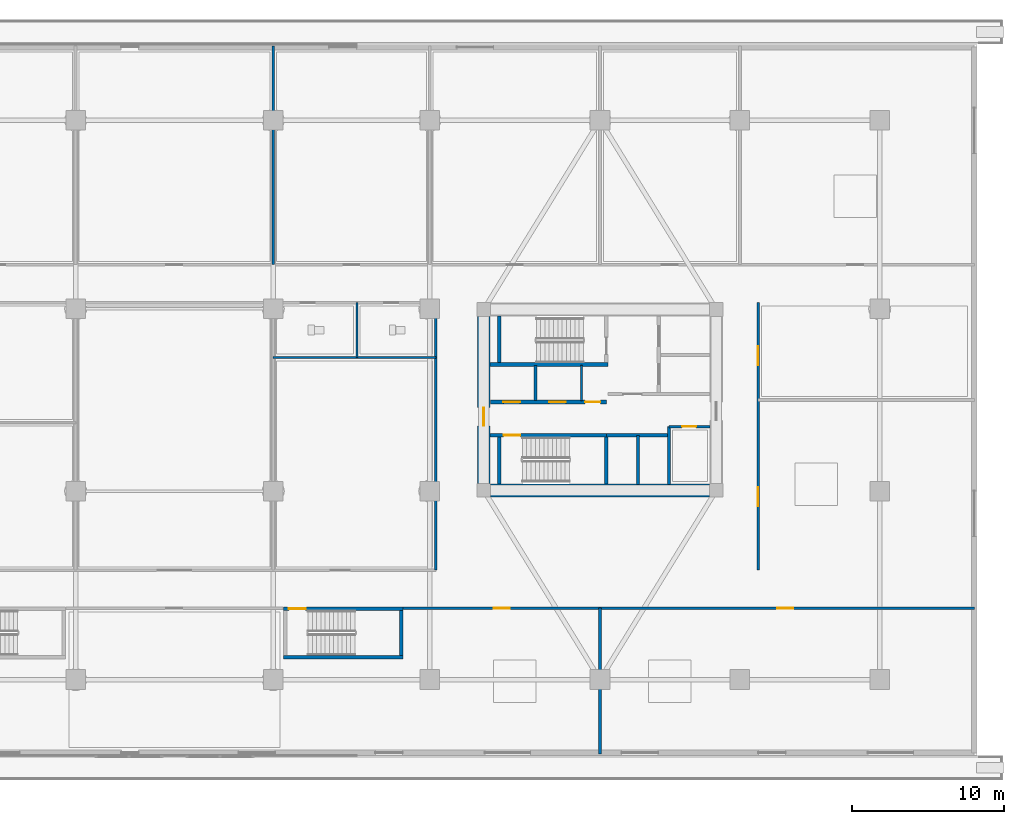
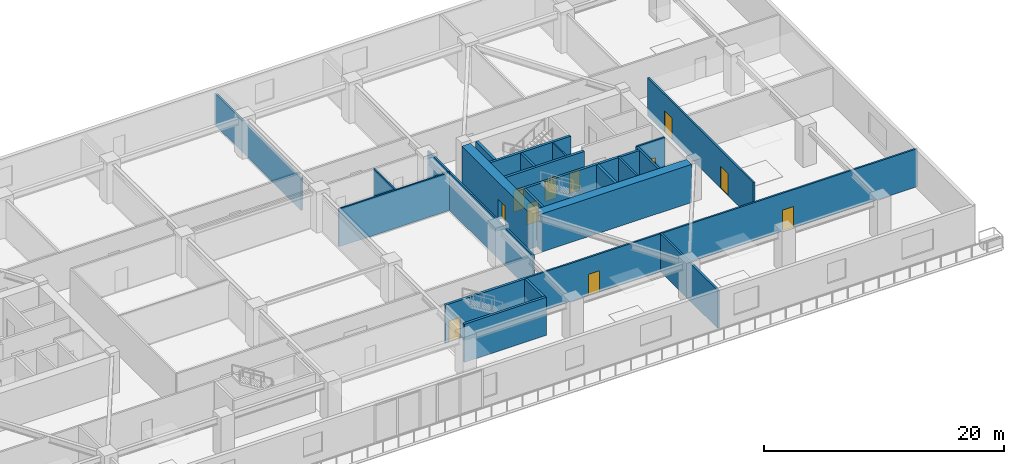
# One storey, part 10 of 22: 24 walls, 11 doors, 11 openings.
"""IFC4 building model written with IfcOpenShell, lengths in metres."""

import ifcopenshell
import ifcopenshell.guid

model = None  # the IFC model being written
_history = None  # IfcOwnerHistory: only IFC2X3 demands one
_inside = {}  # id of a spatial element -> (the spatial element, [elements in it])
_under = {}  # id of a project, library or spatial element -> (it, [spatial elements below it])
_declared = {}  # id of a project -> (the project, [libraries it declares])
_typed = {}  # id of a type object -> (the type object, [elements of that type])
_made_of = {}  # id of a material, layer set ... -> (it, [elements and type objects made of it])


def new_model(schema):
    """Start an empty IFC model of exactly this schema.

    Asked for "IFC4X3", IfcOpenShell would pick the latest addendum, in which some entities
    have other attributes; the version numbers below select the first issue.
    IFC2X3 requires an IfcOwnerHistory on every rooted entity: one is made here for all.
    """
    global model, _history
    if schema == "IFC4X3":
        model = ifcopenshell.file(schema_version=(4, 3, 0, 0))
    else:
        model = ifcopenshell.file(schema=schema)
    _inside.clear()
    _under.clear()
    _declared.clear()
    _typed.clear()
    _made_of.clear()
    _history = None
    if model.schema == "IFC2X3":
        org = make("IfcOrganization", Name="unknown")
        user = make(
            "IfcPersonAndOrganization",
            ThePerson=make("IfcPerson", FamilyName="unknown"),
            TheOrganization=org,
        )
        app = make(
            "IfcApplication",
            ApplicationDeveloper=org,
            Version="unknown",
            ApplicationFullName="unknown",
            ApplicationIdentifier="unknown",
        )
        _history = make(
            "IfcOwnerHistory",
            OwningUser=user,
            OwningApplication=app,
            ChangeAction="ADDED",
            CreationDate=0,
        )
    return model


def make(cls, **values):
    """One entity of the class cls with the attributes given. An attribute that is None is left unset."""
    return model.create_entity(
        cls, **{name: value for name, value in values.items() if value is not None}
    )


def rooted(cls, **values):
    """An entity with a GlobalId (a new one), such as an element, a storey or a relation."""
    return make(cls, GlobalId=ifcopenshell.guid.new(), OwnerHistory=_history, **values)


def si_unit(unit_type, name, prefix=None):
    """IfcSIUnit, for example si_unit("LENGTHUNIT", "METRE", prefix="MILLI")."""
    return make("IfcSIUnit", UnitType=unit_type, Prefix=prefix, Name=name)


def assignment(units):
    """IfcUnitAssignment: the units of a project."""
    return None if units is None else make("IfcUnitAssignment", Units=units)


def point(xyz):
    """IfcCartesianPoint."""
    return None if xyz is None else make("IfcCartesianPoint", Coordinates=xyz)


def direction(xyz):
    """IfcDirection."""
    return None if xyz is None else make("IfcDirection", DirectionRatios=xyz)


def frame(location, z_axis=None, x_axis=None):
    """IfcAxis2Placement3D, a coordinate frame: its origin and axes. An axis left out is left unset."""
    return make(
        "IfcAxis2Placement3D",
        Location=point(location),
        Axis=direction(z_axis),
        RefDirection=direction(x_axis),
    )


def frame_2d(location, x_axis=None):
    """IfcAxis2Placement2D, a coordinate frame in the plane: its origin and x axis."""
    return make(
        "IfcAxis2Placement2D", Location=point(location), RefDirection=direction(x_axis)
    )


def origin():
    """The frame at (0, 0, 0) with its axes left unset."""
    return frame((0.0, 0.0, 0.0))


def place(relative_to, where):
    """IfcLocalPlacement: puts the frame where relative to a parent placement (None: the world)."""
    return make(
        "IfcLocalPlacement", PlacementRelTo=relative_to, RelativePlacement=where
    )


def context(
    kind, dimensions, precision=None, world=None, true_north=None, identifier=None
):
    """IfcGeometricRepresentationContext, for example the 3D "Model" context."""
    return make(
        "IfcGeometricRepresentationContext",
        ContextIdentifier=identifier,
        ContextType=kind,
        CoordinateSpaceDimension=dimensions,
        Precision=precision,
        WorldCoordinateSystem=world,
        TrueNorth=true_north,
    )


def subcontext(parent, identifier, kind, view, scale=None):
    """IfcGeometricRepresentationSubContext, for example "Body" below "Model"."""
    return make(
        "IfcGeometricRepresentationSubContext",
        ContextIdentifier=identifier,
        ContextType=kind,
        ParentContext=parent,
        TargetScale=scale,
        TargetView=view,
    )


def project(units=None, contexts=None):
    """IfcProject with its units and contexts."""
    return rooted(
        "IfcProject",
        Name="project",
        RepresentationContexts=contexts,
        UnitsInContext=assignment(units),
    )


def spatial(cls, under=None, at=None, **own):
    """A site, building, storey or space (cls), placed at a placement, below another one or the project."""
    s = rooted(cls, ObjectPlacement=at, **own)
    if under is not None:
        _under.setdefault(under.id(), (under, []))[1].append(s)
    return s


def profile(cls, at=None, kind="AREA", **sizes):
    """A parametric profile (cls). Its sizes go by their IFC names, for example OverallWidth=200.0."""
    return make(cls, ProfileType=kind, Position=at, **sizes)


def rectangle(**sizes):
    """IfcRectangleProfileDef."""
    return profile("IfcRectangleProfileDef", **sizes)


def extrude(swept, where, along, depth):
    """IfcExtrudedAreaSolid: the profile swept, set in the frame where, extruded along a direction by depth."""
    return make(
        "IfcExtrudedAreaSolid",
        SweptArea=swept,
        Position=where,
        ExtrudedDirection=direction(along),
        Depth=depth,
    )


def shape(context_of_items, identifier, shape_type, items):
    """IfcShapeRepresentation: the items that make up one representation, for example the "Body"."""
    return make(
        "IfcShapeRepresentation",
        ContextOfItems=context_of_items,
        RepresentationIdentifier=identifier,
        RepresentationType=shape_type,
        Items=items,
    )


def source(mapping_origin, context_of_items, identifier, shape_type, items):
    """IfcRepresentationMap: a shape defined once, which mapped items show again and again."""
    return make(
        "IfcRepresentationMap",
        MappingOrigin=mapping_origin,
        MappedRepresentation=shape(context_of_items, identifier, shape_type, items),
    )


def transform(
    local_origin,
    x_axis=None,
    y_axis=None,
    z_axis=None,
    scale=None,
    scale2=None,
    scale3=None,
    uniform=True,
):
    """IfcCartesianTransformationOperator3D, or its non-uniform kind. x_axis, y_axis, z_axis: its Axis1, 2, 3."""
    if uniform:
        return make(
            "IfcCartesianTransformationOperator3D",
            Axis1=direction(x_axis),
            Axis2=direction(y_axis),
            LocalOrigin=point(local_origin),
            Scale=scale,
            Axis3=direction(z_axis),
        )
    return make(
        "IfcCartesianTransformationOperator3DnonUniform",
        Axis1=direction(x_axis),
        Axis2=direction(y_axis),
        LocalOrigin=point(local_origin),
        Scale=scale,
        Axis3=direction(z_axis),
        Scale2=scale2,
        Scale3=scale3,
    )


def mapped(mapping_source, mapping_target):
    """IfcMappedItem: shows the shape of a source again, moved by a transform."""
    return make(
        "IfcMappedItem", MappingSource=mapping_source, MappingTarget=mapping_target
    )


def material(Name=None, Category=None):
    """IfcMaterial."""
    return make("IfcMaterial", Name=Name, Category=Category)


def layer(
    of_material, thickness, ventilated=None, Name=None, Category=None, Priority=None
):
    """IfcMaterialLayer: one layer of a wall or slab, of a material (None: an air gap)."""
    return make(
        "IfcMaterialLayer",
        Material=of_material,
        LayerThickness=thickness,
        IsVentilated=ventilated,
        Name=Name,
        Category=Category,
        Priority=Priority,
    )


def layer_set(layers, Name=None):
    """IfcMaterialLayerSet."""
    return make("IfcMaterialLayerSet", MaterialLayers=layers, LayerSetName=Name)


def made_of(thing, what):
    """Note that an element or type object is made of a material, layer set ...; save() writes the relation."""
    if what is not None:
        _made_of.setdefault(what.id(), (what, []))[1].append(thing)
    return thing


def type_object(cls, material=None, **own):
    """A type object (cls), such as IfcWallType, which elements share."""
    return made_of(rooted(cls, **own), material)


def type_shapes(of_type, sources):
    """Give a type object the sources (RepresentationMaps) that its elements show as mapped items."""
    of_type.RepresentationMaps = sources


def element(
    cls,
    number,
    at=None,
    inside=None,
    cuts=None,
    type_object=None,
    material=None,
    context=None,
    identifier="Body",
    shape_type=None,
    held_by="IfcProductDefinitionShape",
    body=None,
    shapes=None,
    **own,
):
    """One element of the class cls, such as IfcWall. Its Tag is "e" and its number.

    at: its placement. inside: the storey or other place that contains it. cuts: it is an
    opening in that element (IfcRelVoidsElement). A single representation is given by context,
    identifier, shape_type and body (its items); several are given by shapes. held_by: the class
    of the entity that holds the representations. save() writes the other relations.
    """
    e = rooted(cls, Tag="e%d" % number, ObjectPlacement=at, **own)
    if body is not None:
        shapes = [shape(context, identifier, shape_type, body)]
    if shapes is not None:
        e.Representation = make(held_by, Representations=shapes)
    if inside is not None:
        _inside.setdefault(inside.id(), (inside, []))[1].append(e)
    if cuts is not None:
        rooted(
            "IfcRelVoidsElement", RelatingBuildingElement=cuts, RelatedOpeningElement=e
        )
    if type_object is not None:
        _typed.setdefault(type_object.id(), (type_object, []))[1].append(e)
    return made_of(e, material)


def fill(opening, filler):
    """IfcRelFillsElement: the door or window that sits in an opening."""
    return rooted(
        "IfcRelFillsElement",
        RelatingOpeningElement=opening,
        RelatedBuildingElement=filler,
    )


def aggregate(whole, parts):
    """IfcRelAggregates: a whole, such as a stair, and the parts it consists of."""
    return rooted("IfcRelAggregates", RelatingObject=whole, RelatedObjects=parts)


def save(model, path):
    """Write the relations noted so far, then the file.

    IfcRelAggregates (storeys below a building ...), IfcRelContainedInSpatialStructure (elements
    in a storey), IfcRelDefinesByType, IfcRelAssociatesMaterial and IfcRelDeclares: one each for
    every whole, place, type object, material and project.
    """
    for whole, parts in _under.values():
        aggregate(whole, parts)
    for where, things in _inside.values():
        rooted(
            "IfcRelContainedInSpatialStructure",
            RelatedElements=things,
            RelatingStructure=where,
        )
    for kind, things in _typed.values():
        rooted("IfcRelDefinesByType", RelatedObjects=things, RelatingType=kind)
    for what, things in _made_of.values():
        rooted("IfcRelAssociatesMaterial", RelatedObjects=things, RelatingMaterial=what)
    for by, libraries in _declared.values():
        rooted("IfcRelDeclares", RelatingContext=by, RelatedDefinitions=libraries)
    model.write(path)


model = new_model("IFC4")

# Units and contexts
model_context = context("Model", 3, precision=1e-05, world=origin(), true_north=direction((0.0, 1.0)))
body_context = subcontext(model_context, "Body", "Model", "MODEL_VIEW")
ifc_project = project(units=[si_unit("LENGTHUNIT", "METRE"), si_unit("AREAUNIT", "SQUARE_METRE"), si_unit("VOLUMEUNIT", "CUBIC_METRE"), si_unit("PLANEANGLEUNIT", "RADIAN"), si_unit("MASSUNIT", "GRAM", prefix="KILO")], contexts=[model_context])

# Site, building, storey
site_placement = place(None, origin())
site = spatial("IfcSite", under=ifc_project, at=site_placement, CompositionType="ELEMENT")
building_placement = place(site_placement, origin())
building = spatial("IfcBuilding", under=site, at=building_placement, Name="Norrkilde Senior Care Towers", CompositionType="ELEMENT")
storey_placement = place(building_placement, frame((0.0, 0.0, 4.199951171875)))
storey = spatial("IfcBuildingStorey", under=building, at=storey_placement, Name="L01", CompositionType="ELEMENT", Elevation=4.199951171875)

# Wall
ifc_material_1 = material(Name="Concrete C60/75", Category="concrete")
ifc_layer_1 = layer(ifc_material_1, 0.85009765625)
ifc_layer_set_1 = layer_set([ifc_layer_1], Name="Concrete C60/75")
wall_type_1 = type_object("IfcWallType", Name="Core Shear Wall Z1 850", PredefinedType="SHEAR", material=ifc_layer_set_1)
shared_shape_1 = source(origin(), body_context, "Body", "SweptSolid", [
    extrude(rectangle(XDim=14.39990234375, YDim=0.85009765625, at=frame_2d((7.199951171875, 0.0))), origin(), (0.0, 0.0, 1.0), 3.880126953125),
])
wall_1_placement = place(storey_placement, frame((35.199951171875, -5.949951171875, 0.0), z_axis=(0.0, 0.0, 1.0), x_axis=(-1.0, 0.0, 0.0)))
element("IfcWall", 1, at=wall_1_placement, inside=storey, type_object=wall_type_1, Name="L01 Core E South Shear Wall", PredefinedType="SHEAR", context=body_context, shape_type="MappedRepresentation", body=[
    mapped(shared_shape_1, transform((0.0, 0.0, 0.0), x_axis=(1.0, 0.0, 0.0), y_axis=(0.0, 1.0, 0.0), z_axis=(0.0, 0.0, 1.0), scale=1.0)),
])

# Wall, opening, door
shared_shape_2 = source(origin(), body_context, "Body", "SweptSolid", [
    extrude(rectangle(XDim=11.0, YDim=0.85009765625, at=frame_2d((5.5, 0.0))), origin(), (0.0, 0.0, 1.0), 3.880126953125),
])
type_shapes(wall_type_1, [shared_shape_1, shared_shape_2])
wall_2_placement = place(storey_placement, frame((20.35009765625, -5.5, 0.0), z_axis=(0.0, 0.0, 1.0), x_axis=(0.0, 1.0, 0.0)))
wall_2 = element("IfcWall", 2, at=wall_2_placement, inside=storey, type_object=wall_type_1, Name="L01 Core E West Shear Wall", PredefinedType="SHEAR", context=body_context, shape_type="MappedRepresentation", body=[
    mapped(shared_shape_2, transform((0.0, 0.0, 0.0), x_axis=(1.0, 0.0, 0.0), y_axis=(0.0, 1.0, 0.0), z_axis=(0.0, 0.0, 1.0), scale=1.0)),
])
opening_1_placement = place(wall_2_placement, frame((3.800048828125, 0.0, 0.0)))
opening_1 = element("IfcOpeningElement", 3, at=opening_1_placement, cuts=wall_2, Name="Opening D-04", PredefinedType="OPENING", context=body_context, shape_type="SweptSolid", body=[
    extrude(rectangle(XDim=1.199951171875, YDim=2.14990234375, at=frame_2d((0.60009765625, 1.074951171875))), frame((0.0, 0.43505859375, 0.0), z_axis=(0.0, -1.0, 0.0), x_axis=(1.0, 0.0, 0.0)), (0.0, 0.0, 1.0), 0.8701171875),
])
ifc_material_2 = material(Name="Galvanised Painted Steel", Category="steel")
door_type_1 = type_object("IfcDoorType", Name="Firefighting Lobby Fire Door 1200x2150", OperationType="NOTDEFINED", PredefinedType="DOOR", material=ifc_material_2)
shared_shape_3 = source(origin(), body_context, "Body", "SweptSolid", [
    extrude(rectangle(XDim=1.199951171875, YDim=2.14990234375, at=frame_2d((0.60009765625, 1.074951171875))), frame((0.0, 0.02490234375, 0.0), z_axis=(0.0, -1.0, 0.0), x_axis=(1.0, 0.0, 0.0)), (0.0, 0.0, 1.0), 0.050048828125),
])
type_shapes(door_type_1, [shared_shape_3])
door_1_placement = place(opening_1_placement, frame((1.199951171875, 0.0, 0.0), z_axis=(0.0, 0.0, 1.0), x_axis=(-1.0, 0.0, 0.0)))
door_1 = element("IfcDoor", 4, at=door_1_placement, inside=storey, type_object=door_type_1, Name="L01 Core E West Portal Door", OperationType="SINGLE_SWING_LEFT", OverallHeight=2.14990234375, OverallWidth=1.199951171875, PredefinedType="DOOR", context=body_context, shape_type="MappedRepresentation", body=[
    mapped(shared_shape_3, transform((0.0, 0.0, 0.0), x_axis=(1.0, 0.0, 0.0), y_axis=(0.0, 1.0, 0.0), z_axis=(0.0, 0.0, 1.0), scale=1.0)),
])
fill(opening_1, door_1)

# Wall, openings, doors
ifc_material_3 = material(Name="Concrete C45/55", Category="concrete")
ifc_layer_2 = layer(ifc_material_3, 0.239990234375)
ifc_layer_set_2 = layer_set([ifc_layer_2], Name="Concrete C45/55")
wall_type_2 = type_object("IfcWallType", Name="Lift and Plant Rated Enclosure Partition 240", PredefinedType="PARTITIONING", material=ifc_layer_set_2)
shared_shape_4 = source(origin(), body_context, "Body", "SweptSolid", [
    extrude(rectangle(XDim=7.619873046875, YDim=0.239990234375, at=frame_2d((3.81005859375, 0.0))), origin(), (0.0, 0.0, 1.0), 3.864990234375),
])
wall_3_placement = place(storey_placement, frame((20.800048828125, -0.1298828125, 0.0), z_axis=(0.0, 0.0, 1.0), x_axis=(1.0, 0.0, 0.0)))
wall_3 = element("IfcWall", 5, at=wall_3_placement, inside=storey, type_object=wall_type_2, Name="WL-INT-L01-E-PKAS", PredefinedType="PARTITIONING", context=body_context, shape_type="MappedRepresentation", body=[
    mapped(shared_shape_4, transform((0.0, 0.0, 0.0), x_axis=(1.0, 0.0, 0.0), y_axis=(0.0, 1.0, 0.0), z_axis=(0.0, 0.0, 1.0), scale=1.0)),
])
opening_2_placement = place(wall_3_placement, frame((6.219970703125, 0.0, 0.0)))
opening_2 = element("IfcOpeningElement", 6, at=opening_2_placement, cuts=wall_3, Name="Opening D-10", PredefinedType="OPENING", context=body_context, shape_type="SweptSolid", body=[
    extrude(rectangle(XDim=1.0, YDim=2.10009765625, at=frame_2d((0.5, 1.050048828125))), frame((0.0, 0.1298828125, 0.0), z_axis=(0.0, -1.0, 0.0), x_axis=(1.0, 0.0, 0.0)), (0.0, 0.0, 1.0), 0.260009765625),
])
opening_3_placement = place(wall_3_placement, frame((0.85009765625, 0.0, 0.0)))
opening_3 = element("IfcOpeningElement", 7, at=opening_3_placement, cuts=wall_3, Name="Opening LD-01", PredefinedType="OPENING", context=body_context, shape_type="SweptSolid", body=[
    extrude(rectangle(XDim=1.10009765625, YDim=2.199951171875, at=frame_2d((0.550048828125, 1.10009765625))), frame((0.0, 0.1298828125, 0.0), z_axis=(0.0, -1.0, 0.0), x_axis=(1.0, 0.0, 0.0)), (0.0, 0.0, 1.0), 0.260009765625),
])
opening_4_placement = place(wall_3_placement, frame((3.85009765625, 0.0, 0.0)))
opening_4 = element("IfcOpeningElement", 8, at=opening_4_placement, cuts=wall_3, Name="Opening LD-01", PredefinedType="OPENING", context=body_context, shape_type="SweptSolid", body=[
    extrude(rectangle(XDim=1.10009765625, YDim=2.199951171875, at=frame_2d((0.550048828125, 1.10009765625))), frame((0.0, 0.1298828125, 0.0), z_axis=(0.0, -1.0, 0.0), x_axis=(1.0, 0.0, 0.0)), (0.0, 0.0, 1.0), 0.260009765625),
])
door_type_2 = type_object("IfcDoorType", Name="Plant and Riser Rated Door 1000x2100", OperationType="NOTDEFINED", PredefinedType="DOOR", material=ifc_material_2)
shared_shape_5 = source(origin(), body_context, "Body", "SweptSolid", [
    extrude(rectangle(XDim=1.0, YDim=2.10009765625, at=frame_2d((0.5, 1.050048828125))), frame((0.0, 0.02490234375, 0.0), z_axis=(0.0, -1.0, 0.0), x_axis=(1.0, 0.0, 0.0)), (0.0, 0.0, 1.0), 0.050048828125),
])
type_shapes(door_type_2, [shared_shape_5])
door_2_placement = place(opening_2_placement, frame((1.0, 0.0, 0.0), z_axis=(0.0, 0.0, 1.0), x_axis=(-1.0, 0.0, 0.0)))
door_2 = element("IfcDoor", 9, at=door_2_placement, inside=storey, type_object=door_type_2, Name="L01 Electrical Riser E Door", OperationType="SINGLE_SWING_LEFT", OverallHeight=2.10009765625, OverallWidth=1.0, PredefinedType="DOOR", context=body_context, shape_type="MappedRepresentation", body=[
    mapped(shared_shape_5, transform((0.0, 0.0, 0.0), x_axis=(1.0, 0.0, 0.0), y_axis=(0.0, 1.0, 0.0), z_axis=(0.0, 0.0, 1.0), scale=1.0)),
])
fill(opening_2, door_2)
ifc_material_4 = material(Name="Stainless Steel", Category="steel")
door_type_3 = type_object("IfcDoorType", Name="Lift Landing Sliding Door 1100x2200", OperationType="NOTDEFINED", PredefinedType="DOOR", material=ifc_material_4)
shared_shape_6 = source(origin(), body_context, "Body", "SweptSolid", [
    extrude(rectangle(XDim=1.10009765625, YDim=2.199951171875, at=frame_2d((0.550048828125, 1.10009765625))), frame((0.0, 0.02490234375, 0.0), z_axis=(0.0, -1.0, 0.0), x_axis=(1.0, 0.0, 0.0)), (0.0, 0.0, 1.0), 0.050048828125),
])
type_shapes(door_type_3, [shared_shape_6])
door_3_placement = place(opening_3_placement, origin())
door_3 = element("IfcDoor", 10, at=door_3_placement, inside=storey, type_object=door_type_3, Name="L01 Passenger Lift E1 Landing Door", OperationType="SLIDING_TO_LEFT", OverallHeight=2.199951171875, OverallWidth=1.10009765625, PredefinedType="DOOR", context=body_context, shape_type="MappedRepresentation", body=[
    mapped(shared_shape_6, transform((0.0, 0.0, 0.0), x_axis=(1.0, 0.0, 0.0), y_axis=(0.0, 1.0, 0.0), z_axis=(0.0, 0.0, 1.0), scale=1.0)),
])
fill(opening_3, door_3)
door_4_placement = place(opening_4_placement, origin())
door_4 = element("IfcDoor", 11, at=door_4_placement, inside=storey, type_object=door_type_3, Name="L01 Passenger Lift E2 Landing Door", OperationType="SLIDING_TO_RIGHT", OverallHeight=2.199951171875, OverallWidth=1.10009765625, PredefinedType="DOOR", context=body_context, shape_type="MappedRepresentation", body=[
    mapped(shared_shape_6, transform((0.0, 0.0, 0.0), x_axis=(1.0, 0.0, 0.0), y_axis=(0.0, 1.0, 0.0), z_axis=(0.0, 0.0, 1.0), scale=1.0)),
])
fill(opening_4, door_4)

# Walls
ifc_material_5 = material(Name="Gypsum Acoustic Board")
ifc_layer_3 = layer(ifc_material_5, 0.114990234375)
ifc_layer_set_3 = layer_set([ifc_layer_3], Name="Gypsum Acoustic Board")
wall_type_3 = type_object("IfcWallType", Name="Internal Room Partition 115", PredefinedType="PARTITIONING", material=ifc_layer_set_3)
shared_shape_7 = source(origin(), body_context, "Body", "SweptSolid", [
    extrude(rectangle(XDim=2.330078125, YDim=0.114990234375, at=frame_2d((1.1650390625, 0.0))), origin(), (0.0, 0.0, 1.0), 3.864990234375),
])
type_shapes(wall_type_3, [shared_shape_7])
wall_4_placement = place(storey_placement, frame((26.7900390625, -0.050048828125, 0.0), z_axis=(0.0, 0.0, 1.0), x_axis=(0.0, 1.0, 0.0)))
element("IfcWall", 12, at=wall_4_placement, inside=storey, type_object=wall_type_3, Name="WL-INT-L01-E-RISW", PredefinedType="PARTITIONING", context=body_context, shape_type="MappedRepresentation", body=[
    mapped(shared_shape_7, transform((0.0, 0.0, 0.0), x_axis=(1.0, 0.0, 0.0), y_axis=(0.0, 1.0, 0.0), z_axis=(0.0, 0.0, 1.0), scale=1.0)),
])
ifc_layer_4 = layer(ifc_material_3, 0.199951171875)
ifc_layer_set_4 = layer_set([ifc_layer_4], Name="Concrete C45/55")
wall_type_4 = type_object("IfcWallType", Name="Shaft Division and Plant Partition 200", PredefinedType="PARTITIONING", material=ifc_layer_set_4)
shared_shape_8 = source(origin(), body_context, "Body", "SweptSolid", [
    extrude(rectangle(XDim=2.330078125, YDim=0.199951171875, at=frame_2d((1.1650390625, 0.0))), origin(), (0.0, 0.0, 1.0), 3.864990234375),
])
wall_5_placement = place(storey_placement, frame((23.75, -0.050048828125, 0.0), z_axis=(0.0, 0.0, 1.0), x_axis=(0.0, 1.0, 0.0)))
element("IfcWall", 13, at=wall_5_placement, inside=storey, type_object=wall_type_4, Name="WL-INT-L01-E-PL12", PredefinedType="PARTITIONING", context=body_context, shape_type="MappedRepresentation", body=[
    mapped(shared_shape_8, transform((0.0, 0.0, 0.0), x_axis=(1.0, 0.0, 0.0), y_axis=(0.0, 1.0, 0.0), z_axis=(0.0, 0.0, 1.0), scale=1.0)),
])
shared_shape_9 = source(origin(), body_context, "Body", "SweptSolid", [
    extrude(rectangle(XDim=3.800048828125, YDim=0.199951171875, at=frame_2d((1.89990234375, 0.0))), origin(), (0.0, 0.0, 1.0), 3.864990234375),
])
type_shapes(wall_type_4, [shared_shape_8, shared_shape_9])
wall_6_placement = place(storey_placement, frame((32.550048828125, -5.550048828125, 0.0), z_axis=(0.0, 0.0, 1.0), x_axis=(0.0, 1.0, 0.0)))
element("IfcWall", 14, at=wall_6_placement, inside=storey, type_object=wall_type_4, Name="WL-INT-L01-E-PKBE", PredefinedType="PARTITIONING", context=body_context, shape_type="MappedRepresentation", body=[
    mapped(shared_shape_9, transform((0.0, 0.0, 0.0), x_axis=(1.0, 0.0, 0.0), y_axis=(0.0, 1.0, 0.0), z_axis=(0.0, 0.0, 1.0), scale=1.0)),
])
shared_shape_10 = source(origin(), body_context, "Body", "SweptSolid", [
    extrude(rectangle(XDim=4.130126953125, YDim=0.239990234375, at=frame_2d((2.06494140625, 0.0))), origin(), (0.0, 0.0, 1.0), 3.864990234375),
])
type_shapes(wall_type_2, [shared_shape_4, shared_shape_10])
wall_7_placement = place(storey_placement, frame((28.419921875, -2.330078125, 0.0), z_axis=(0.0, 0.0, 1.0), x_axis=(1.0, 0.0, 0.0)))
element("IfcWall", 15, at=wall_7_placement, inside=storey, type_object=wall_type_2, Name="WL-INT-L01-E-PKBN", PredefinedType="PARTITIONING", context=body_context, shape_type="MappedRepresentation", body=[
    mapped(shared_shape_10, transform((0.0, 0.0, 0.0), x_axis=(1.0, 0.0, 0.0), y_axis=(0.0, 1.0, 0.0), z_axis=(0.0, 0.0, 1.0), scale=1.0)),
])
ifc_layer_5 = layer(ifc_material_3, 0.179931640625)
ifc_layer_set_5 = layer_set([ifc_layer_5], Name="Concrete C45/55")
wall_type_5 = type_object("IfcWallType", Name="Hoistway Division Rated Partition 180", PredefinedType="PARTITIONING", material=ifc_layer_set_5)
shared_shape_11 = source(origin(), body_context, "Body", "SweptSolid", [
    extrude(rectangle(XDim=3.219970703125, YDim=0.179931640625, at=frame_2d((1.60986328125, 0.0))), origin(), (0.0, 0.0, 1.0), 3.864990234375),
])
type_shapes(wall_type_5, [shared_shape_11])
wall_8_placement = place(storey_placement, frame((30.5, -5.550048828125, 0.0), z_axis=(0.0, 0.0, 1.0), x_axis=(0.0, 1.0, 0.0)))
element("IfcWall", 16, at=wall_8_placement, inside=storey, type_object=wall_type_5, Name="WL-INT-L01-E-PL34", PredefinedType="PARTITIONING", context=body_context, shape_type="MappedRepresentation", body=[
    mapped(shared_shape_11, transform((0.0, 0.0, 0.0), x_axis=(1.0, 0.0, 0.0), y_axis=(0.0, 1.0, 0.0), z_axis=(0.0, 0.0, 1.0), scale=1.0)),
])

# Wall, opening, door
ifc_layer_6 = layer(ifc_material_5, 0.1650390625)
ifc_layer_set_6 = layer_set([ifc_layer_6], Name="Gypsum Acoustic Board")
wall_type_6 = type_object("IfcWallType", Name="Corridor Rated Partition 165", PredefinedType="PARTITIONING", material=ifc_layer_set_6)
shared_shape_12 = source(origin(), body_context, "Body", "SweptSolid", [
    extrude(rectangle(XDim=2.699951171875, YDim=0.1650390625, at=frame_2d((1.35009765625, 0.0))), origin(), (0.0, 0.0, 1.0), 3.864990234375),
])
wall_9_placement = place(storey_placement, frame((32.550048828125, -1.75, 0.0), z_axis=(0.0, 0.0, 1.0), x_axis=(1.0, 0.0, 0.0)))
wall_9 = element("IfcWall", 17, at=wall_9_placement, inside=storey, type_object=wall_type_6, Name="WL-INT-L01-E-CSN", PredefinedType="PARTITIONING", context=body_context, shape_type="MappedRepresentation", body=[
    mapped(shared_shape_12, transform((0.0, 0.0, 0.0), x_axis=(1.0, 0.0, 0.0), y_axis=(0.0, 1.0, 0.0), z_axis=(0.0, 0.0, 1.0), scale=1.0)),
])
opening_5_placement = place(wall_9_placement, frame((0.85009765625, 0.0, 0.0)))
opening_5 = element("IfcOpeningElement", 18, at=opening_5_placement, cuts=wall_9, Name="Opening D-12", PredefinedType="OPENING", context=body_context, shape_type="SweptSolid", body=[
    extrude(rectangle(XDim=0.925048828125, YDim=2.10009765625, at=frame_2d((0.46240234375, 1.050048828125))), frame((0.0, 0.092529296875, 0.0), z_axis=(0.0, -1.0, 0.0), x_axis=(1.0, 0.0, 0.0)), (0.0, 0.0, 1.0), 0.18505859375),
])
door_type_4 = type_object("IfcDoorType", Name="Core Wet Room Rated Door 925x2100", OperationType="NOTDEFINED", PredefinedType="DOOR", material=ifc_material_2)
shared_shape_13 = source(origin(), body_context, "Body", "SweptSolid", [
    extrude(rectangle(XDim=0.925048828125, YDim=2.10009765625, at=frame_2d((0.46240234375, 1.050048828125))), frame((0.0, 0.02490234375, 0.0), z_axis=(0.0, -1.0, 0.0), x_axis=(1.0, 0.0, 0.0)), (0.0, 0.0, 1.0), 0.050048828125),
])
type_shapes(door_type_4, [shared_shape_13])
door_5_placement = place(opening_5_placement, origin())
door_5 = element("IfcDoor", 19, at=door_5_placement, inside=storey, type_object=door_type_4, Name="L01 Core Utility E Door", OperationType="SINGLE_SWING_LEFT", OverallHeight=2.10009765625, OverallWidth=0.925048828125, PredefinedType="DOOR", context=body_context, shape_type="MappedRepresentation", body=[
    mapped(shared_shape_13, transform((0.0, 0.0, 0.0), x_axis=(1.0, 0.0, 0.0), y_axis=(0.0, 1.0, 0.0), z_axis=(0.0, 0.0, 1.0), scale=1.0)),
])
fill(opening_5, door_5)

# Wall, openings, doors
shared_shape_14 = source(origin(), body_context, "Body", "SweptSolid", [
    extrude(rectangle(XDim=17.599853515625, YDim=0.1650390625, at=frame_2d((8.7998046875, 0.0))), origin(), (0.0, 0.0, 1.0), 3.864990234375),
])
wall_10_placement = place(storey_placement, frame((38.39990234375, -11.199951171875, 0.0), z_axis=(0.0, 0.0, 1.0), x_axis=(0.0, 1.0, 0.0)))
wall_10 = element("IfcWall", 20, at=wall_10_placement, inside=storey, type_object=wall_type_6, Name="WL-INT-L01-POD-OE", PredefinedType="PARTITIONING", context=body_context, shape_type="MappedRepresentation", body=[
    mapped(shared_shape_14, transform((0.0, 0.0, 0.0), x_axis=(1.0, 0.0, 0.0), y_axis=(0.0, 1.0, 0.0), z_axis=(0.0, 0.0, 1.0), scale=1.0)),
])
opening_6_placement = place(wall_10_placement, frame((4.199951171875, 0.0, 0.0)))
opening_6 = element("IfcOpeningElement", 21, at=opening_6_placement, cuts=wall_10, Name="Opening D-05", PredefinedType="OPENING", context=body_context, shape_type="SweptSolid", body=[
    extrude(rectangle(XDim=1.25, YDim=2.199951171875, at=frame_2d((0.625, 1.10009765625))), frame((0.0, 0.092529296875, 0.0), z_axis=(0.0, -1.0, 0.0), x_axis=(1.0, 0.0, 0.0)), (0.0, 0.0, 1.0), 0.18505859375),
])
opening_7_placement = place(wall_10_placement, frame((13.5, 0.0, 0.0)))
opening_7 = element("IfcOpeningElement", 22, at=opening_7_placement, cuts=wall_10, Name="Opening D-05", PredefinedType="OPENING", context=body_context, shape_type="SweptSolid", body=[
    extrude(rectangle(XDim=1.25, YDim=2.199951171875, at=frame_2d((0.625, 1.10009765625))), frame((0.0, 0.092529296875, 0.0), z_axis=(0.0, -1.0, 0.0), x_axis=(1.0, 0.0, 0.0)), (0.0, 0.0, 1.0), 0.18505859375),
])
ifc_material_6 = material(Name="Nordic Ash Timber", Category="wood")
door_type_5 = type_object("IfcDoorType", Name="Care Bedroom Bariatric Door 1250x2200", OperationType="NOTDEFINED", PredefinedType="DOOR", material=ifc_material_6)
shared_shape_15 = source(origin(), body_context, "Body", "SweptSolid", [
    extrude(rectangle(XDim=1.25, YDim=2.199951171875, at=frame_2d((0.625, 1.10009765625))), frame((0.0, 0.02490234375, 0.0), z_axis=(0.0, -1.0, 0.0), x_axis=(1.0, 0.0, 0.0)), (0.0, 0.0, 1.0), 0.050048828125),
])
type_shapes(door_type_5, [shared_shape_15])
door_6_placement = place(opening_6_placement, origin())
door_6 = element("IfcDoor", 23, at=door_6_placement, inside=storey, type_object=door_type_5, Name="L01 Rehab Ward OE1 Door", OperationType="SINGLE_SWING_LEFT", OverallHeight=2.199951171875, OverallWidth=1.25, PredefinedType="DOOR", context=body_context, shape_type="MappedRepresentation", body=[
    mapped(shared_shape_15, transform((0.0, 0.0, 0.0), x_axis=(1.0, 0.0, 0.0), y_axis=(0.0, 1.0, 0.0), z_axis=(0.0, 0.0, 1.0), scale=1.0)),
])
fill(opening_6, door_6)
door_7_placement = place(opening_7_placement, origin())
door_7 = element("IfcDoor", 24, at=door_7_placement, inside=storey, type_object=door_type_5, Name="L01 Wellness Hall OE2 Door", OperationType="SINGLE_SWING_RIGHT", OverallHeight=2.199951171875, OverallWidth=1.25, PredefinedType="DOOR", context=body_context, shape_type="MappedRepresentation", body=[
    mapped(shared_shape_15, transform((0.0, 0.0, 0.0), x_axis=(1.0, 0.0, 0.0), y_axis=(0.0, 1.0, 0.0), z_axis=(0.0, 0.0, 1.0), scale=1.0)),
])
fill(opening_7, door_7)

# Walls
wall_11_placement = place(storey_placement, frame((17.199951171875, -11.199951171875, 0.0), z_axis=(0.0, 0.0, 1.0), x_axis=(0.0, 1.0, 0.0)))
element("IfcWall", 25, at=wall_11_placement, inside=storey, type_object=wall_type_6, Name="WL-INT-L01-POD-E", PredefinedType="PARTITIONING", context=body_context, shape_type="MappedRepresentation", body=[
    mapped(shared_shape_14, transform((0.0, 0.0, 0.0), x_axis=(1.0, 0.0, 0.0), y_axis=(0.0, 1.0, 0.0), z_axis=(0.0, 0.0, 1.0), scale=1.0)),
])
ifc_layer_7 = layer(ifc_material_5, 0.139892578125)
ifc_layer_set_7 = layer_set([ifc_layer_7], Name="Gypsum Acoustic Board")
wall_type_7 = type_object("IfcWallType", Name="En-suite Wet Room Wall 140", PredefinedType="PARTITIONING", material=ifc_layer_set_7)
shared_shape_16 = source(origin(), body_context, "Body", "SweptSolid", [
    extrude(rectangle(XDim=3.599853515625, YDim=0.139892578125, at=frame_2d((1.7998046875, 0.0))), origin(), (0.0, 0.0, 1.0), 3.864990234375),
])
wall_12_placement = place(storey_placement, frame((12.0, 2.800048828125, 0.0), z_axis=(0.0, 0.0, 1.0), x_axis=(0.0, 1.0, 0.0)))
element("IfcWall", 26, at=wall_12_placement, inside=storey, type_object=wall_type_7, Name="WL-INT-L01-POD-WC2", PredefinedType="PARTITIONING", context=body_context, shape_type="MappedRepresentation", body=[
    mapped(shared_shape_16, transform((0.0, 0.0, 0.0), x_axis=(1.0, 0.0, 0.0), y_axis=(0.0, 1.0, 0.0), z_axis=(0.0, 0.0, 1.0), scale=1.0)),
])
shared_shape_17 = source(origin(), body_context, "Body", "SweptSolid", [
    extrude(rectangle(XDim=10.699951171875, YDim=0.139892578125, at=frame_2d((5.35009765625, 0.0))), origin(), (0.0, 0.0, 1.0), 3.864990234375),
])
type_shapes(wall_type_7, [shared_shape_16, shared_shape_17])
wall_13_placement = place(storey_placement, frame((6.5, 2.800048828125, 0.0), z_axis=(0.0, 0.0, 1.0), x_axis=(1.0, 0.0, 0.0)))
element("IfcWall", 27, at=wall_13_placement, inside=storey, type_object=wall_type_7, Name="WL-INT-L01-POD-WC1", PredefinedType="PARTITIONING", context=body_context, shape_type="MappedRepresentation", body=[
    mapped(shared_shape_17, transform((0.0, 0.0, 0.0), x_axis=(1.0, 0.0, 0.0), y_axis=(0.0, 1.0, 0.0), z_axis=(0.0, 0.0, 1.0), scale=1.0)),
])
ifc_layer_8 = layer(ifc_material_3, 0.239990234375)
ifc_layer_set_8 = layer_set([ifc_layer_8], Name="Concrete C45/55")
wall_type_8 = type_object("IfcWallType", Name="Shaft and Stair Enclosure Wall 240", PredefinedType="PARTITIONING", material=ifc_layer_set_8)
shared_shape_18 = source(origin(), body_context, "Body", "SweptSolid", [
    extrude(rectangle(XDim=7.76513671875, YDim=0.239990234375, at=frame_2d((3.882568359375, 0.0))), origin(), (0.0, 0.0, 1.0), 3.880126953125),
])
wall_14_placement = place(storey_placement, frame((20.77490234375, 2.330078125, 0.0), z_axis=(0.0, 0.0, 1.0), x_axis=(1.0, 0.0, 0.0)))
element("IfcWall", 28, at=wall_14_placement, inside=storey, type_object=wall_type_8, Name="WL-INT-L01-E-ST1S", PredefinedType="PARTITIONING", context=body_context, shape_type="MappedRepresentation", body=[
    mapped(shared_shape_18, transform((0.0, 0.0, 0.0), x_axis=(1.0, 0.0, 0.0), y_axis=(0.0, 1.0, 0.0), z_axis=(0.0, 0.0, 1.0), scale=1.0)),
])

# Wall, opening, door
wall_15_placement = place(storey_placement, frame((20.77490234375, -2.330078125, 0.0), z_axis=(0.0, 0.0, 1.0), x_axis=(1.0, 0.0, 0.0)))
wall_15 = element("IfcWall", 29, at=wall_15_placement, inside=storey, type_object=wall_type_8, Name="WL-INT-L01-E-ST2N", PredefinedType="PARTITIONING", context=body_context, shape_type="MappedRepresentation", body=[
    mapped(shared_shape_18, transform((0.0, 0.0, 0.0), x_axis=(1.0, 0.0, 0.0), y_axis=(0.0, 1.0, 0.0), z_axis=(0.0, 0.0, 1.0), scale=1.0)),
])
opening_8_placement = place(wall_15_placement, frame((0.885009765625, 0.0, 0.0)))
opening_8 = element("IfcOpeningElement", 30, at=opening_8_placement, cuts=wall_15, Name="Opening D-03", PredefinedType="OPENING", context=body_context, shape_type="SweptSolid", body=[
    extrude(rectangle(XDim=1.10009765625, YDim=2.14990234375, at=frame_2d((0.550048828125, 1.074951171875))), frame((0.0, 0.1298828125, 0.0), z_axis=(0.0, -1.0, 0.0), x_axis=(1.0, 0.0, 0.0)), (0.0, 0.0, 1.0), 0.260009765625),
])
door_type_6 = type_object("IfcDoorType", Name="Stairwell Protected Fire Door 1100x2150", OperationType="NOTDEFINED", PredefinedType="DOOR", material=ifc_material_2)
shared_shape_19 = source(origin(), body_context, "Body", "SweptSolid", [
    extrude(rectangle(XDim=1.10009765625, YDim=2.14990234375, at=frame_2d((0.550048828125, 1.074951171875))), frame((0.0, 0.02490234375, 0.0), z_axis=(0.0, -1.0, 0.0), x_axis=(1.0, 0.0, 0.0)), (0.0, 0.0, 1.0), 0.050048828125),
])
type_shapes(door_type_6, [shared_shape_19])
door_8_placement = place(opening_8_placement, frame((1.10009765625, 0.0, 0.0), z_axis=(0.0, 0.0, 1.0), x_axis=(-1.0, 0.0, 0.0)))
door_8 = element("IfcDoor", 31, at=door_8_placement, inside=storey, type_object=door_type_6, Name="L01 Stair E2 Fire Door", OperationType="SINGLE_SWING_RIGHT", OverallHeight=2.14990234375, OverallWidth=1.10009765625, PredefinedType="DOOR", context=body_context, shape_type="MappedRepresentation", body=[
    mapped(shared_shape_19, transform((0.0, 0.0, 0.0), x_axis=(1.0, 0.0, 0.0), y_axis=(0.0, 1.0, 0.0), z_axis=(0.0, 0.0, 1.0), scale=1.0)),
])
fill(opening_8, door_8)

# Walls
shared_shape_20 = source(origin(), body_context, "Body", "SweptSolid", [
    extrude(rectangle(XDim=3.074951171875, YDim=0.239990234375, at=frame_2d((1.53759765625, 0.0))), origin(), (0.0, 0.0, 1.0), 3.880126953125),
])
for number, where, z_axis, x_axis, name in (
    (32, (21.3798828125, 2.449951171875, 0.0), (0.0, 0.0, 1.0), (0.0, 1.0, 0.0), "WL-INT-L01-E-ST1W"),
    (33, (21.3798828125, -5.52490234375, 0.0), (0.0, 0.0, 1.0), (0.0, 1.0, 0.0), "WL-INT-L01-E-ST2W"),
    (34, (28.419921875, -5.52490234375, 0.0), (0.0, 0.0, 1.0), (0.0, 1.0, 0.0), "WL-INT-L01-E-ST2E"),
):
    element("IfcWall", number, at=place(storey_placement, frame(where, z_axis=z_axis, x_axis=x_axis)), inside=storey, type_object=wall_type_8, Name=name, PredefinedType="PARTITIONING", context=body_context, shape_type="MappedRepresentation", body=[
        mapped(shared_shape_20, transform((0.0, 0.0, 0.0), x_axis=(1.0, 0.0, 0.0), y_axis=(0.0, 1.0, 0.0), z_axis=(0.0, 0.0, 1.0), scale=1.0)),
    ])

# Wall, opening, door
shared_shape_21 = source(origin(), body_context, "Body", "SweptSolid", [
    extrude(rectangle(XDim=7.880126953125, YDim=0.239990234375, at=frame_2d((3.93994140625, 0.0))), origin(), (0.0, 0.0, 1.0), 3.880126953125),
])
wall_16_placement = place(storey_placement, frame((7.159912109375, -13.72998046875, 0.0), z_axis=(0.0, 0.0, 1.0), x_axis=(1.0, 0.0, 0.0)))
wall_16 = element("IfcWall", 35, at=wall_16_placement, inside=storey, type_object=wall_type_8, Name="WL-INT-L01-STP2-N", PredefinedType="PARTITIONING", context=body_context, shape_type="MappedRepresentation", body=[
    mapped(shared_shape_21, transform((0.0, 0.0, 0.0), x_axis=(1.0, 0.0, 0.0), y_axis=(0.0, 1.0, 0.0), z_axis=(0.0, 0.0, 1.0), scale=1.0)),
])
opening_9_placement = place(wall_16_placement, frame((0.3701171875, 0.0, 0.0)))
opening_9 = element("IfcOpeningElement", 36, at=opening_9_placement, cuts=wall_16, Name="Opening D-03", PredefinedType="OPENING", context=body_context, shape_type="SweptSolid", body=[
    extrude(rectangle(XDim=1.10009765625, YDim=2.14990234375, at=frame_2d((0.550048828125, 1.074951171875))), frame((0.0, 0.1298828125, 0.0), z_axis=(0.0, -1.0, 0.0), x_axis=(1.0, 0.0, 0.0)), (0.0, 0.0, 1.0), 0.260009765625),
])
door_9_placement = place(opening_9_placement, origin())
door_9 = element("IfcDoor", 37, at=door_9_placement, inside=storey, type_object=door_type_6, Name="L01 Podium Stair P2 Door", OperationType="SINGLE_SWING_LEFT", OverallHeight=2.14990234375, OverallWidth=1.10009765625, PredefinedType="DOOR", context=body_context, shape_type="MappedRepresentation", body=[
    mapped(shared_shape_19, transform((0.0, 0.0, 0.0), x_axis=(1.0, 0.0, 0.0), y_axis=(0.0, 1.0, 0.0), z_axis=(0.0, 0.0, 1.0), scale=1.0)),
])
fill(opening_9, door_9)

# Walls
wall_17_placement = place(storey_placement, frame((7.159912109375, -16.919921875, 0.0), z_axis=(0.0, 0.0, 1.0), x_axis=(1.0, 0.0, 0.0)))
element("IfcWall", 38, at=wall_17_placement, inside=storey, type_object=wall_type_8, Name="WL-INT-L01-STP2-S", PredefinedType="PARTITIONING", context=body_context, shape_type="MappedRepresentation", body=[
    mapped(shared_shape_21, transform((0.0, 0.0, 0.0), x_axis=(1.0, 0.0, 0.0), y_axis=(0.0, 1.0, 0.0), z_axis=(0.0, 0.0, 1.0), scale=1.0)),
])
shared_shape_22 = source(origin(), body_context, "Body", "SweptSolid", [
    extrude(rectangle(XDim=2.949951171875, YDim=0.239990234375, at=frame_2d((1.47509765625, 0.0))), origin(), (0.0, 0.0, 1.0), 3.880126953125),
])
type_shapes(wall_type_8, [shared_shape_18, shared_shape_20, shared_shape_21, shared_shape_22])
wall_18_placement = place(storey_placement, frame((14.919921875, -16.800048828125, 0.0), z_axis=(0.0, 0.0, 1.0), x_axis=(0.0, 1.0, 0.0)))
element("IfcWall", 39, at=wall_18_placement, inside=storey, type_object=wall_type_8, Name="WL-INT-L01-STP2-E", PredefinedType="PARTITIONING", context=body_context, shape_type="MappedRepresentation", body=[
    mapped(shared_shape_22, transform((0.0, 0.0, 0.0), x_axis=(1.0, 0.0, 0.0), y_axis=(0.0, 1.0, 0.0), z_axis=(0.0, 0.0, 1.0), scale=1.0)),
])
ifc_layer_9 = layer(ifc_material_5, 0.18994140625)
ifc_layer_set_9 = layer_set([ifc_layer_9], Name="Gypsum Acoustic Board")
wall_type_9 = type_object("IfcWallType", Name="Unit Demising Acoustic Wall 190", PredefinedType="PARTITIONING", material=ifc_layer_set_9)
shared_shape_23 = source(origin(), body_context, "Body", "SweptSolid", [
    extrude(rectangle(XDim=14.400146484375, YDim=0.18994140625, at=frame_2d((7.2001953125, 0.0))), origin(), (0.0, 0.0, 1.0), 3.215087890625),
])
wall_19_placement = place(storey_placement, frame((6.5, 8.89990234375, 0.0), z_axis=(0.0, 0.0, 1.0), x_axis=(0.0, 1.0, 0.0)))
element("IfcWall", 40, at=wall_19_placement, inside=storey, type_object=wall_type_9, Name="WL-INT-L01-POD-NPV5", PredefinedType="PARTITIONING", context=body_context, shape_type="MappedRepresentation", body=[
    mapped(shared_shape_23, transform((0.0, 0.0, 0.0), x_axis=(1.0, 0.0, 0.0), y_axis=(0.0, 1.0, 0.0), z_axis=(0.0, 0.0, 1.0), scale=1.0)),
])

# Wall, openings, doors
shared_shape_24 = source(origin(), body_context, "Body", "SweptSolid", [
    extrude(rectangle(XDim=37.599853515625, YDim=0.1650390625, at=frame_2d((18.7998046875, 0.0))), origin(), (0.0, 0.0, 1.0), 3.864990234375),
])
type_shapes(wall_type_6, [shared_shape_12, shared_shape_14, shared_shape_24])
wall_20_placement = place(storey_placement, frame((15.050048828125, -13.699951171875, 0.0), z_axis=(0.0, 0.0, 1.0), x_axis=(1.0, 0.0, 0.0)))
wall_20 = element("IfcWall", 41, at=wall_20_placement, inside=storey, type_object=wall_type_6, Name="WL-INT-L01-POD-SPE", PredefinedType="PARTITIONING", context=body_context, shape_type="MappedRepresentation", body=[
    mapped(shared_shape_24, transform((0.0, 0.0, 0.0), x_axis=(1.0, 0.0, 0.0), y_axis=(0.0, 1.0, 0.0), z_axis=(0.0, 0.0, 1.0), scale=1.0)),
])
opening_10_placement = place(wall_20_placement, frame((5.949951171875, 0.0, 0.0)))
opening_10 = element("IfcOpeningElement", 42, at=opening_10_placement, cuts=wall_20, Name="Opening D-06", PredefinedType="OPENING", context=body_context, shape_type="SweptSolid", body=[
    extrude(rectangle(XDim=1.050048828125, YDim=2.14990234375, at=frame_2d((0.52490234375, 1.074951171875))), frame((0.0, 0.092529296875, 0.0), z_axis=(0.0, -1.0, 0.0), x_axis=(1.0, 0.0, 0.0)), (0.0, 0.0, 1.0), 0.18505859375),
])
opening_11_placement = place(wall_20_placement, frame((24.625, 0.0, 0.0)))
opening_11 = element("IfcOpeningElement", 43, at=opening_11_placement, cuts=wall_20, Name="Opening D-06", PredefinedType="OPENING", context=body_context, shape_type="SweptSolid", body=[
    extrude(rectangle(XDim=1.050048828125, YDim=2.14990234375, at=frame_2d((0.52490234375, 1.074951171875))), frame((0.0, 0.092529296875, 0.0), z_axis=(0.0, -1.0, 0.0), x_axis=(1.0, 0.0, 0.0)), (0.0, 0.0, 1.0), 0.18505859375),
])
door_type_7 = type_object("IfcDoorType", Name="Apartment Entrance Fire Door 1050x2150", OperationType="NOTDEFINED", PredefinedType="DOOR", material=ifc_material_6)
shared_shape_25 = source(origin(), body_context, "Body", "SweptSolid", [
    extrude(rectangle(XDim=1.050048828125, YDim=2.14990234375, at=frame_2d((0.52490234375, 1.074951171875))), frame((0.0, 0.02490234375, 0.0), z_axis=(0.0, -1.0, 0.0), x_axis=(1.0, 0.0, 0.0)), (0.0, 0.0, 1.0), 0.050048828125),
])
type_shapes(door_type_7, [shared_shape_25])
door_10_placement = place(opening_10_placement, frame((1.050048828125, 0.0, 0.0), z_axis=(0.0, 0.0, 1.0), x_axis=(-1.0, 0.0, 0.0)))
door_10 = element("IfcDoor", 44, at=door_10_placement, inside=storey, type_object=door_type_7, Name="L01 South Suite SE1 Door", OperationType="SINGLE_SWING_RIGHT", OverallHeight=2.14990234375, OverallWidth=1.050048828125, PredefinedType="DOOR", context=body_context, shape_type="MappedRepresentation", body=[
    mapped(shared_shape_25, transform((0.0, 0.0, 0.0), x_axis=(1.0, 0.0, 0.0), y_axis=(0.0, 1.0, 0.0), z_axis=(0.0, 0.0, 1.0), scale=1.0)),
])
fill(opening_10, door_10)
door_11_placement = place(opening_11_placement, frame((1.050048828125, 0.0, 0.0), z_axis=(0.0, 0.0, 1.0), x_axis=(-1.0, 0.0, 0.0)))
door_11 = element("IfcDoor", 45, at=door_11_placement, inside=storey, type_object=door_type_7, Name="L01 South Suite SE2 Door", OperationType="SINGLE_SWING_LEFT", OverallHeight=2.14990234375, OverallWidth=1.050048828125, PredefinedType="DOOR", context=body_context, shape_type="MappedRepresentation", body=[
    mapped(shared_shape_25, transform((0.0, 0.0, 0.0), x_axis=(1.0, 0.0, 0.0), y_axis=(0.0, 1.0, 0.0), z_axis=(0.0, 0.0, 1.0), scale=1.0)),
])
fill(opening_11, door_11)

# Wall
shared_shape_26 = source(origin(), body_context, "Body", "SweptSolid", [
    extrude(rectangle(XDim=9.60009765625, YDim=0.18994140625, at=frame_2d((4.800048828125, 0.0))), origin(), (0.0, 0.0, 1.0), 3.864990234375),
])
type_shapes(wall_type_9, [shared_shape_23, shared_shape_26])
wall_21_placement = place(storey_placement, frame((28.0, -23.300048828125, 0.0), z_axis=(0.0, 0.0, 1.0), x_axis=(0.0, 1.0, 0.0)))
element("IfcWall", 46, at=wall_21_placement, inside=storey, type_object=wall_type_9, Name="WL-INT-L01-POD-SED", PredefinedType="PARTITIONING", context=body_context, shape_type="MappedRepresentation", body=[
    mapped(shared_shape_26, transform((0.0, 0.0, 0.0), x_axis=(1.0, 0.0, 0.0), y_axis=(0.0, 1.0, 0.0), z_axis=(0.0, 0.0, 1.0), scale=1.0)),
])

save(model, "model.ifc")
